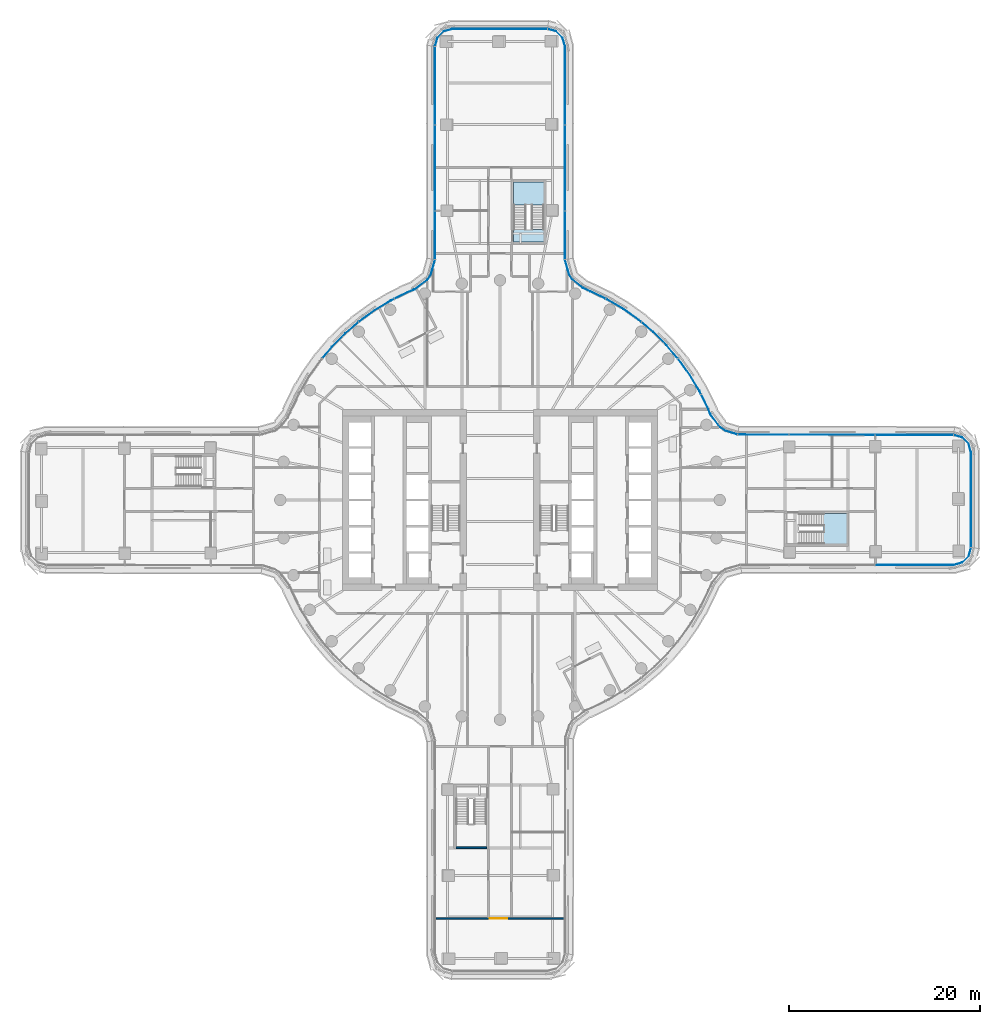
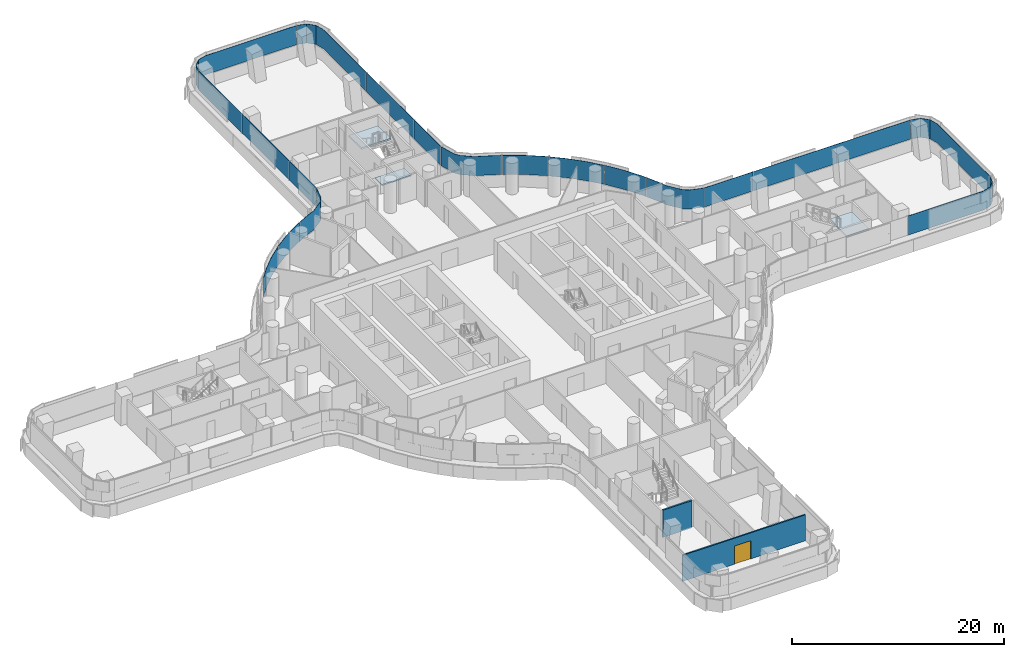
# One storey, part 18 of 32: 20 plates, 3 slabs, 2 walls, 1 door, 1 opening, 10 elements without a shape of their own.
"""IFC4 building model written with IfcOpenShell, lengths in metres."""

from ifc_helpers import new_model, si_unit, direction, frame, frame_2d, origin, place, context, subcontext, project, spatial, polyline, rectangle, outline, extrude, material, layer, layer_set, type_object, element, fill, aggregate, save


model = new_model("IFC4")

# Units and contexts
model_context = context("Model", 3, precision=1e-05, world=origin(), true_north=direction((0.0, 1.0)))
body_context = subcontext(model_context, "Body", "Model", "MODEL_VIEW")
ifc_project = project(units=[si_unit("LENGTHUNIT", "METRE"), si_unit("AREAUNIT", "SQUARE_METRE"), si_unit("VOLUMEUNIT", "CUBIC_METRE"), si_unit("PLANEANGLEUNIT", "RADIAN"), si_unit("MASSUNIT", "GRAM", prefix="KILO")], contexts=[model_context])

# Site, building, storey
site_placement = place(None, origin())
site = spatial("IfcSite", under=ifc_project, at=site_placement, CompositionType="ELEMENT")
building_placement = place(site_placement, origin())
building = spatial("IfcBuilding", under=site, at=building_placement, Name="Tamarind Cross Interchange Tower", CompositionType="ELEMENT")
storey_placement = place(building_placement, frame((0.0, 0.0, 34.0)))
storey = spatial("IfcBuildingStorey", under=building, at=storey_placement, Name="L06", CompositionType="ELEMENT", Elevation=34.0)

# Slab
ifc_material_1 = material(Name="Concrete C35", Category="concrete")
ifc_layer_1 = layer(ifc_material_1, 0.139892578125)
ifc_layer_set_1 = layer_set([ifc_layer_1], Name="Concrete C35")
slab_type_1 = type_object("IfcSlabType", Name="Composite slab 140 Concrete C35", PredefinedType="FLOOR", material=ifc_layer_set_1)
slab_1_placement = place(storey_placement, frame((0.0, 0.0, -0.139892578125)))
element("IfcSlab", 1, at=slab_1_placement, inside=storey, type_object=slab_type_1, Name="Floor slab L06", PredefinedType="FLOOR", context=body_context, shape_type="SweptSolid", body=[
    extrude(outline(polyline([(1.39990234375, 27.0), (4.60009765625, 27.0), (4.60009765625, 28.31201171875), (1.39990234375, 28.31201171875), (1.39990234375, 27.0)])), origin(), (0.0, 0.0, 1.0), 0.139892578125),
])

# Stair, slab
ifc_material_2 = material(Name="Exit stair")
stair_type = type_object("IfcStairType", Name="Exit stair", PredefinedType="HALF_TURN_STAIR", material=ifc_material_2)
stair_1_placement = place(storey_placement, origin())
stair_1 = element("IfcStair", 2, at=stair_1_placement, inside=storey, type_object=stair_type, Name="L06 exit stair ST3", PredefinedType="HALF_TURN_STAIR")
ifc_material_3 = material(Name="Concrete C40", Category="concrete")
ifc_layer_2 = layer(ifc_material_3, 0.199951171875)
ifc_layer_set_2 = layer_set([ifc_layer_2], Name="Concrete C40")
slab_type_2 = type_object("IfcSlabType", Name="Stair landing", PredefinedType="LANDING", material=ifc_layer_set_2)
slab_2_placement = place(storey_placement, frame((0.0, 0.0, 1.675048828125)))
slab_2 = element("IfcSlab", 3, at=slab_2_placement, type_object=slab_type_2, Name="ST3 landing 1", PredefinedType="LANDING", context=body_context, shape_type="SweptSolid", body=[
    extrude(outline(polyline([(33.887939453125, -4.60009765625), (36.300048828125, -4.60009765625), (36.300048828125, -1.39990234375), (33.887939453125, -1.39990234375), (33.887939453125, -4.60009765625)])), origin(), (0.0, 0.0, 1.0), 0.199951171875),
])
aggregate(stair_1, [slab_2])

stair_2_placement = place(storey_placement, origin())
stair_2 = element("IfcStair", 4, at=stair_2_placement, inside=storey, type_object=stair_type, Name="L06 exit stair ST4", PredefinedType="HALF_TURN_STAIR")
slab_3_placement = place(storey_placement, frame((0.0, 0.0, 1.675048828125)))
slab_3 = element("IfcSlab", 5, at=slab_3_placement, type_object=slab_type_2, Name="ST4 landing 1", PredefinedType="LANDING", context=body_context, shape_type="SweptSolid", body=[
    extrude(outline(polyline([(4.60009765625, 30.887939453125), (4.60009765625, 33.300048828125), (1.39990234375, 33.300048828125), (1.39990234375, 30.887939453125), (4.60009765625, 30.887939453125)])), origin(), (0.0, 0.0, 1.0), 0.199951171875),
])
aggregate(stair_2, [slab_3])

# Curtain wall, plate
ifc_material_4 = material(Name="Aluminium 6063-T6", Category="aluminium")
ifc_layer_3 = layer(ifc_material_4, 0.159912109375)
ifc_layer_set_3 = layer_set([ifc_layer_3], Name="Aluminium 6063-T6")
curtain_wall_type_1 = type_object("IfcCurtainWallType", Name="Office curtain wall, 9.0 m bays", PredefinedType="NOTDEFINED", material=ifc_layer_set_3)
curtain_wall_1_placement = place(storey_placement, origin())
curtain_wall_1 = element("IfcCurtainWall", 6, at=curtain_wall_1_placement, inside=storey, type_object=curtain_wall_type_1, Name="CWS-L06-08", PredefinedType="NOTDEFINED")
ifc_material_5 = material(Name="Laminated low-e glass 8+1.52+8", Category="glass")
ifc_layer_4 = layer(ifc_material_5, 0.028076171875)
ifc_layer_set_4 = layer_set([ifc_layer_4], Name="Laminated low-e glass 8+1.52+8")
plate_type_1 = type_object("IfcPlateType", Name="Vision panel CW1", PredefinedType="CURTAIN_PANEL", material=ifc_layer_set_4)
plate_1_placement = place(storey_placement, frame((0.0, 0.0, 1.39990234375)))
plate_1 = element("IfcPlate", 7, at=plate_1_placement, type_object=plate_type_1, Name="CWP-L06-08-02", PredefinedType="CURTAIN_PANEL", context=body_context, shape_type="SweptSolid", body=[
    extrude(outline(polyline([(39.30322265625, -6.785888671875), (47.4794921875, -6.785888671875), (48.396728515625, -6.540283203125), (49.0478515625, -5.88916015625), (49.286376953125, -4.9990234375), (49.313232421875, -5.00634765625), (49.07275390625, -5.90380859375), (48.411376953125, -6.565185546875), (47.483154296875, -6.81396484375), (39.30322265625, -6.81396484375), (39.30322265625, -6.785888671875)])), origin(), (0.0, 0.0, 1.0), 2.210205078125),
])
aggregate(curtain_wall_1, [plate_1])

curtain_wall_2_placement = place(storey_placement, origin())
curtain_wall_2 = element("IfcCurtainWall", 8, at=curtain_wall_2_placement, inside=storey, type_object=curtain_wall_type_1, Name="CWS-L06-09", PredefinedType="NOTDEFINED")
plate_2_placement = place(storey_placement, frame((0.0, 0.0, 1.39990234375)))
plate_2 = element("IfcPlate", 9, at=plate_2_placement, type_object=plate_type_1, Name="CWP-L06-09-00", PredefinedType="CURTAIN_PANEL", context=body_context, shape_type="SweptSolid", body=[
    extrude(outline(polyline([(49.29345703125, -4.943603515625), (49.29345703125, 4.971923828125), (49.0478515625, 5.88916015625), (48.396728515625, 6.540283203125), (47.50634765625, 6.77880859375), (47.513671875, 6.805908203125), (48.411376953125, 6.565185546875), (49.07275390625, 5.90380859375), (49.321533203125, 4.9755859375), (49.321533203125, -4.943603515625), (49.29345703125, -4.943603515625)])), origin(), (0.0, 0.0, 1.0), 2.210205078125),
])
aggregate(curtain_wall_2, [plate_2])

# Curtain wall, plates
curtain_wall_3_placement = place(storey_placement, origin())
curtain_wall_3 = element("IfcCurtainWall", 10, at=curtain_wall_3_placement, inside=storey, type_object=curtain_wall_type_1, Name="CWS-L06-10", PredefinedType="NOTDEFINED")
plate_3_placement = place(storey_placement, frame((0.0, 0.0, 1.39990234375)))
plate_3 = element("IfcPlate", 11, at=plate_3_placement, type_object=plate_type_1, Name="CWP-L06-10-00", PredefinedType="CURTAIN_PANEL", context=body_context, shape_type="SweptSolid", body=[
    extrude(outline(polyline([(47.450927734375, 6.7861328125), (39.302001953125, 6.802001953125), (39.302001953125, 6.830078125), (47.451171875, 6.814208984375), (47.450927734375, 6.7861328125)])), origin(), (0.0, 0.0, 1.0), 2.210205078125),
])
plate_4_placement = place(storey_placement, frame((0.0, 0.0, 1.39990234375)))
plate_4 = element("IfcPlate", 12, at=plate_4_placement, type_object=plate_type_1, Name="CWP-L06-10-01", PredefinedType="CURTAIN_PANEL", context=body_context, shape_type="SweptSolid", body=[
    extrude(outline(polyline([(39.241943359375, 6.80224609375), (30.300537109375, 6.81982421875), (30.30078125, 6.84765625), (39.2421875, 6.830322265625), (39.241943359375, 6.80224609375)])), origin(), (0.0, 0.0, 1.0), 2.210205078125),
])
plate_5_placement = place(storey_placement, frame((0.0, 0.0, 1.39990234375)))
plate_5 = element("IfcPlate", 13, at=plate_5_placement, type_object=plate_type_1, Name="CWP-L06-10-02", PredefinedType="CURTAIN_PANEL", context=body_context, shape_type="SweptSolid", body=[
    extrude(outline(polyline([(30.24072265625, 6.81982421875), (24.914794921875, 6.830322265625), (24.914794921875, 6.8583984375), (30.24072265625, 6.847900390625), (30.24072265625, 6.81982421875)])), origin(), (0.0, 0.0, 1.0), 2.210205078125),
])
aggregate(curtain_wall_3, [plate_3, plate_4, plate_5])

curtain_wall_4_placement = place(storey_placement, origin())
curtain_wall_4 = element("IfcCurtainWall", 14, at=curtain_wall_4_placement, inside=storey, type_object=curtain_wall_type_1, Name="CWS-L06-12", PredefinedType="NOTDEFINED")
plate_6_placement = place(storey_placement, frame((0.0, 0.0, 1.39990234375)))
plate_6 = element("IfcPlate", 15, at=plate_6_placement, type_object=plate_type_1, Name="CWP-L06-12-00", PredefinedType="CURTAIN_PANEL", context=body_context, shape_type="SweptSolid", body=[
    extrude(outline(polyline([(6.785888671875, 25.21142578125), (6.785888671875, 30.242919921875), (6.81396484375, 30.242919921875), (6.81396484375, 25.21142578125), (6.785888671875, 25.21142578125)])), origin(), (0.0, 0.0, 1.0), 2.210205078125),
])
plate_7_placement = place(storey_placement, frame((0.0, 0.0, 1.39990234375)))
plate_7 = element("IfcPlate", 16, at=plate_7_placement, type_object=plate_type_1, Name="CWP-L06-12-01", PredefinedType="CURTAIN_PANEL", context=body_context, shape_type="SweptSolid", body=[
    extrude(outline(polyline([(6.785888671875, 30.302734375), (6.785888671875, 39.2431640625), (6.81396484375, 39.2431640625), (6.81396484375, 30.302734375), (6.785888671875, 30.302734375)])), origin(), (0.0, 0.0, 1.0), 2.210205078125),
])
plate_8_placement = place(storey_placement, frame((0.0, 0.0, 1.39990234375)))
plate_8 = element("IfcPlate", 17, at=plate_8_placement, type_object=plate_type_1, Name="CWP-L06-12-02", PredefinedType="CURTAIN_PANEL", context=body_context, shape_type="SweptSolid", body=[
    extrude(outline(polyline([(6.785888671875, 39.30322265625), (6.785888671875, 47.4794921875), (6.540283203125, 48.396728515625), (5.88916015625, 49.0478515625), (4.9990234375, 49.286376953125), (5.00634765625, 49.313232421875), (5.90380859375, 49.07275390625), (6.565185546875, 48.411376953125), (6.81396484375, 47.483154296875), (6.81396484375, 39.30322265625), (6.785888671875, 39.30322265625)])), origin(), (0.0, 0.0, 1.0), 2.210205078125),
])
aggregate(curtain_wall_4, [plate_6, plate_7, plate_8])

# Curtain wall, plate
curtain_wall_5_placement = place(storey_placement, origin())
curtain_wall_5 = element("IfcCurtainWall", 18, at=curtain_wall_5_placement, inside=storey, type_object=curtain_wall_type_1, Name="CWS-L06-13", PredefinedType="NOTDEFINED")
plate_9_placement = place(storey_placement, frame((0.0, 0.0, 1.39990234375)))
plate_9 = element("IfcPlate", 19, at=plate_9_placement, type_object=plate_type_1, Name="CWP-L06-13-00", PredefinedType="CURTAIN_PANEL", context=body_context, shape_type="SweptSolid", body=[
    extrude(outline(polyline([(4.943603515625, 49.29345703125), (-4.971923828125, 49.29345703125), (-5.88916015625, 49.0478515625), (-6.540283203125, 48.396728515625), (-6.77880859375, 47.506591796875), (-6.8056640625, 47.513916015625), (-6.565185546875, 48.411376953125), (-5.90380859375, 49.07275390625), (-4.9755859375, 49.321533203125), (4.943603515625, 49.321533203125), (4.943603515625, 49.29345703125)])), origin(), (0.0, 0.0, 1.0), 2.210205078125),
])
aggregate(curtain_wall_5, [plate_9])

# Curtain wall, plates
curtain_wall_6_placement = place(storey_placement, origin())
curtain_wall_6 = element("IfcCurtainWall", 20, at=curtain_wall_6_placement, inside=storey, type_object=curtain_wall_type_1, Name="CWS-L06-14", PredefinedType="NOTDEFINED")
plate_10_placement = place(storey_placement, frame((0.0, 0.0, 1.39990234375)))
plate_10 = element("IfcPlate", 21, at=plate_10_placement, type_object=plate_type_1, Name="CWP-L06-14-00", PredefinedType="CURTAIN_PANEL", context=body_context, shape_type="SweptSolid", body=[
    extrude(outline(polyline([(-6.785888671875, 47.451171875), (-6.785888671875, 39.30322265625), (-6.81396484375, 39.30322265625), (-6.81396484375, 47.451171875), (-6.785888671875, 47.451171875)])), origin(), (0.0, 0.0, 1.0), 2.210205078125),
])
plate_11_placement = place(storey_placement, frame((0.0, 0.0, 1.39990234375)))
plate_11 = element("IfcPlate", 22, at=plate_11_placement, type_object=plate_type_1, Name="CWP-L06-14-01", PredefinedType="CURTAIN_PANEL", context=body_context, shape_type="SweptSolid", body=[
    extrude(outline(polyline([(-6.785888671875, 39.2431640625), (-6.785888671875, 30.302734375), (-6.81396484375, 30.302734375), (-6.81396484375, 39.2431640625), (-6.785888671875, 39.2431640625)])), origin(), (0.0, 0.0, 1.0), 2.210205078125),
])
plate_12_placement = place(storey_placement, frame((0.0, 0.0, 1.39990234375)))
plate_12 = element("IfcPlate", 23, at=plate_12_placement, type_object=plate_type_1, Name="CWP-L06-14-02", PredefinedType="CURTAIN_PANEL", context=body_context, shape_type="SweptSolid", body=[
    extrude(outline(polyline([(-6.785888671875, 30.242919921875), (-6.785888671875, 25.21142578125), (-6.81396484375, 25.21142578125), (-6.81396484375, 30.242919921875), (-6.785888671875, 30.242919921875)])), origin(), (0.0, 0.0, 1.0), 2.210205078125),
])
aggregate(curtain_wall_6, [plate_10, plate_11, plate_12])

ifc_layer_5 = layer(ifc_material_4, 0.14990234375)
ifc_layer_set_5 = layer_set([ifc_layer_5], Name="Aluminium 6063-T6")
curtain_wall_type_2 = type_object("IfcCurtainWallType", Name="Winter garden and crown curtain wall", PredefinedType="NOTDEFINED", material=ifc_layer_set_5)
curtain_wall_7_placement = place(storey_placement, origin())
curtain_wall_7 = element("IfcCurtainWall", 24, at=curtain_wall_7_placement, inside=storey, type_object=curtain_wall_type_2, Name="CWS-L06-11", PredefinedType="NOTDEFINED")
ifc_layer_6 = layer(ifc_material_5, 0.030029296875)
ifc_layer_set_6 = layer_set([ifc_layer_6], Name="Laminated low-e glass 8+1.52+8")
plate_type_2 = type_object("IfcPlateType", Name="Vision panel CW6", PredefinedType="CURTAIN_PANEL", material=ifc_layer_set_6)
plate_13_placement = place(storey_placement, frame((0.0, 0.0, 1.39990234375)))
plate_13 = element("IfcPlate", 25, at=plate_13_placement, type_object=plate_type_2, Name="CWP-L06-11-00", PredefinedType="CURTAIN_PANEL", context=body_context, shape_type="SweptSolid", body=[
    extrude(outline(polyline([(24.851806640625, 6.8388671875), (23.560302734375, 7.238037109375), (23.02783203125, 7.601806640625), (22.0205078125, 8.942626953125), (21.73681640625, 9.6455078125), (21.0537109375, 11.028076171875), (21.08056640625, 11.041259765625), (21.76416015625, 9.65771484375), (22.046875, 8.95751953125), (23.048828125, 7.623779296875), (23.573486328125, 7.265380859375), (24.860595703125, 6.86767578125), (24.851806640625, 6.8388671875)])), origin(), (0.0, 0.0, 1.0), 2.210205078125),
])
plate_14_placement = place(storey_placement, frame((0.0, 0.0, 1.39990234375)))
plate_14 = element("IfcPlate", 26, at=plate_14_placement, type_object=plate_type_2, Name="CWP-L06-11-01", PredefinedType="CURTAIN_PANEL", context=body_context, shape_type="SweptSolid", body=[
    extrude(outline(polyline([(21.027099609375, 11.081787109375), (20.86572265625, 11.408203125), (19.852294921875, 13.09228515625), (18.703369140625, 14.68701171875), (18.63330078125, 14.76904296875), (18.656005859375, 14.78857421875), (18.72705078125, 14.70556640625), (19.87744140625, 13.10888671875), (20.89208984375, 11.422607421875), (21.053955078125, 11.094970703125), (21.027099609375, 11.081787109375)])), origin(), (0.0, 0.0, 1.0), 2.210205078125),
])
plate_15_placement = place(storey_placement, frame((0.0, 0.0, 1.39990234375)))
plate_15 = element("IfcPlate", 27, at=plate_15_placement, type_object=plate_type_2, Name="CWP-L06-11-02", PredefinedType="CURTAIN_PANEL", context=body_context, shape_type="SweptSolid", body=[
    extrude(outline(polyline([(18.59423828125, 14.814697265625), (17.426513671875, 16.181396484375), (16.03076171875, 17.565185546875), (14.81103515625, 18.58935546875), (14.830322265625, 18.612548828125), (16.051025390625, 17.58740234375), (17.448486328125, 16.201904296875), (18.6171875, 14.834228515625), (18.59423828125, 14.814697265625)])), origin(), (0.0, 0.0, 1.0), 2.210205078125),
])
plate_16_placement = place(storey_placement, frame((0.0, 0.0, 1.39990234375)))
plate_16 = element("IfcPlate", 28, at=plate_16_placement, type_object=plate_type_2, Name="CWP-L06-11-03", PredefinedType="CURTAIN_PANEL", context=body_context, shape_type="SweptSolid", body=[
    extrude(outline(polyline([(14.764892578125, 18.6279296875), (14.525634765625, 18.8291015625), (12.921142578125, 19.96435546875), (11.228271484375, 20.963134765625), (11.084228515625, 21.03271484375), (11.097412109375, 21.0595703125), (11.242431640625, 20.989501953125), (12.937255859375, 19.989501953125), (14.5439453125, 18.852783203125), (14.7841796875, 18.651123046875), (14.764892578125, 18.6279296875)])), origin(), (0.0, 0.0, 1.0), 2.210205078125),
])
plate_17_placement = place(storey_placement, frame((0.0, 0.0, 1.39990234375)))
plate_17 = element("IfcPlate", 29, at=plate_17_placement, type_object=plate_type_2, Name="CWP-L06-11-04", PredefinedType="CURTAIN_PANEL", context=body_context, shape_type="SweptSolid", body=[
    extrude(outline(polyline([(11.0302734375, 21.058837890625), (9.453125, 21.821533203125), (8.678955078125, 22.17236328125), (7.60009765625, 23.0302734375), (7.236328125, 23.562744140625), (6.793701171875, 25.1484375), (6.822509765625, 25.156494140625), (7.263916015625, 23.57568359375), (7.622314453125, 23.051025390625), (8.69482421875, 22.1982421875), (9.4658203125, 21.8486328125), (11.04345703125, 21.085693359375), (11.0302734375, 21.058837890625)])), origin(), (0.0, 0.0, 1.0), 2.210205078125),
])
aggregate(curtain_wall_7, [plate_13, plate_14, plate_15, plate_16, plate_17])

curtain_wall_8_placement = place(storey_placement, origin())
curtain_wall_8 = element("IfcCurtainWall", 30, at=curtain_wall_8_placement, inside=storey, type_object=curtain_wall_type_2, Name="CWS-L06-15", PredefinedType="NOTDEFINED")
plate_18_placement = place(storey_placement, frame((0.0, 0.0, 1.39990234375)))
plate_18 = element("IfcPlate", 31, at=plate_18_placement, type_object=plate_type_2, Name="CWP-L06-15-00", PredefinedType="CURTAIN_PANEL", context=body_context, shape_type="SweptSolid", body=[
    extrude(outline(polyline([(-6.793701171875, 25.1484375), (-7.236328125, 23.562744140625), (-7.601806640625, 23.02783203125), (-8.942626953125, 22.0205078125), (-9.6455078125, 21.73681640625), (-11.02783203125, 21.0537109375), (-11.041259765625, 21.08056640625), (-9.65771484375, 21.76416015625), (-8.95751953125, 22.046875), (-7.623779296875, 23.048828125), (-7.263916015625, 23.57568359375), (-6.822509765625, 25.156494140625), (-6.793701171875, 25.1484375)])), origin(), (0.0, 0.0, 1.0), 2.210205078125),
])
plate_19_placement = place(storey_placement, frame((0.0, 0.0, 1.39990234375)))
plate_19 = element("IfcPlate", 32, at=plate_19_placement, type_object=plate_type_2, Name="CWP-L06-15-01", PredefinedType="CURTAIN_PANEL", context=body_context, shape_type="SweptSolid", body=[
    extrude(outline(polyline([(-11.081787109375, 21.027099609375), (-11.408203125, 20.86572265625), (-13.09228515625, 19.852294921875), (-14.68701171875, 18.703369140625), (-14.76904296875, 18.63330078125), (-14.78857421875, 18.656005859375), (-14.70556640625, 18.72705078125), (-13.10888671875, 19.87744140625), (-11.422607421875, 20.89208984375), (-11.094970703125, 21.053955078125), (-11.081787109375, 21.027099609375)])), origin(), (0.0, 0.0, 1.0), 2.210205078125),
])
plate_20_placement = place(storey_placement, frame((0.0, 0.0, 1.39990234375)))
plate_20 = element("IfcPlate", 33, at=plate_20_placement, type_object=plate_type_2, Name="CWP-L06-15-02", PredefinedType="CURTAIN_PANEL", context=body_context, shape_type="SweptSolid", body=[
    extrude(outline(polyline([(-14.814697265625, 18.59423828125), (-16.181396484375, 17.426513671875), (-17.565185546875, 16.03076171875), (-18.58935546875, 14.81103515625), (-18.6123046875, 14.830322265625), (-17.58740234375, 16.051025390625), (-16.201904296875, 17.448486328125), (-14.834228515625, 18.6171875), (-14.814697265625, 18.59423828125)])), origin(), (0.0, 0.0, 1.0), 2.210205078125),
])
aggregate(curtain_wall_8, [plate_18, plate_19, plate_20])

# Wall, opening, door
ifc_material_6 = material(Name="Gypsum board partition on steel studs", Category="steel")
ifc_layer_7 = layer(ifc_material_6, 0.14990234375)
ifc_layer_set_7 = layer_set([ifc_layer_7], Name="Gypsum board partition on steel studs")
wall_type_1 = type_object("IfcWallType", Name="Partition 150 mm EI 120", PredefinedType="PARTITIONING", material=ifc_layer_set_7)
wall_1_placement = place(storey_placement, frame((-6.698974609375, -43.800048828125, 0.0), z_axis=(0.0, 0.0, 1.0), x_axis=(1.0, 0.0, 0.0)))
wall_1 = element("IfcWall", 34, at=wall_1_placement, inside=storey, type_object=wall_type_1, Name="Partition L06-031", PredefinedType="PARTITIONING", context=body_context, shape_type="SweptSolid", body=[
    extrude(rectangle(XDim=13.4052734375, YDim=0.14990234375, at=frame_2d((6.70263671875, 0.0))), origin(), (0.0, 0.0, 1.0), 3.010009765625),
])
opening_placement = place(wall_1_placement, frame((5.64892578125, 0.0, 0.0)))
opening = element("IfcOpeningElement", 35, at=opening_placement, cuts=wall_1, Name="Opening D15", PredefinedType="OPENING", context=body_context, shape_type="SweptSolid", body=[
    extrude(rectangle(XDim=1.800048828125, YDim=2.10009765625, at=frame_2d((0.89990234375, 1.050048828125))), frame((0.0, 0.0849609375, 0.0), z_axis=(0.0, -1.0, 0.0), x_axis=(1.0, 0.0, 0.0)), (0.0, 0.0, 1.0), 0.169921875),
])
ifc_material_7 = material(Name="Fire-resisting door set")
door_type = type_object("IfcDoorType", Name="Interior door 1800 x 2100 FD60S", OperationType="DOUBLE_DOOR_SINGLE_SWING", PredefinedType="DOOR", material=ifc_material_7)
door_placement = place(opening_placement, frame((1.800048828125, 0.0, 0.0), z_axis=(0.0, 0.0, 1.0), x_axis=(-1.0, 0.0, 0.0)))
door = element("IfcDoor", 36, at=door_placement, inside=storey, type_object=door_type, Name="Door D15", OperationType="DOUBLE_DOOR_SINGLE_SWING", OverallHeight=2.10009765625, OverallWidth=1.800048828125, PredefinedType="DOOR", context=body_context, shape_type="SweptSolid", body=[
    extrude(rectangle(XDim=1.800048828125, YDim=2.10009765625, at=frame_2d((0.89990234375, 1.050048828125))), frame((0.0, 0.02490234375, 0.0), z_axis=(0.0, -1.0, 0.0), x_axis=(1.0, 0.0, 0.0)), (0.0, 0.0, 1.0), 0.050048828125),
])
fill(opening, door)

# Wall
ifc_layer_8 = layer(ifc_material_3, 0.199951171875)
ifc_layer_set_8 = layer_set([ifc_layer_8], Name="Concrete C40")
wall_type_2 = type_object("IfcWallType", Name="Stair shaft wall 200 mm Concrete C40", PredefinedType="SHEAR", material=ifc_layer_set_8)
wall_2_placement = place(storey_placement, frame((0.0, 0.0, -0.139892578125)))
element("IfcWall", 37, at=wall_2_placement, inside=storey, type_object=wall_type_2, Name="Core wall CWL-L06-ST6-CF", PredefinedType="SHEAR", context=body_context, shape_type="SweptSolid", body=[
    extrude(outline(polyline([(-4.60009765625, -36.300048828125), (-4.60009765625, -36.5), (-1.39990234375, -36.5), (-1.39990234375, -36.300048828125), (-4.60009765625, -36.300048828125)])), origin(), (0.0, 0.0, 1.0), 3.14990234375),
])

save(model, "model.ifc")
